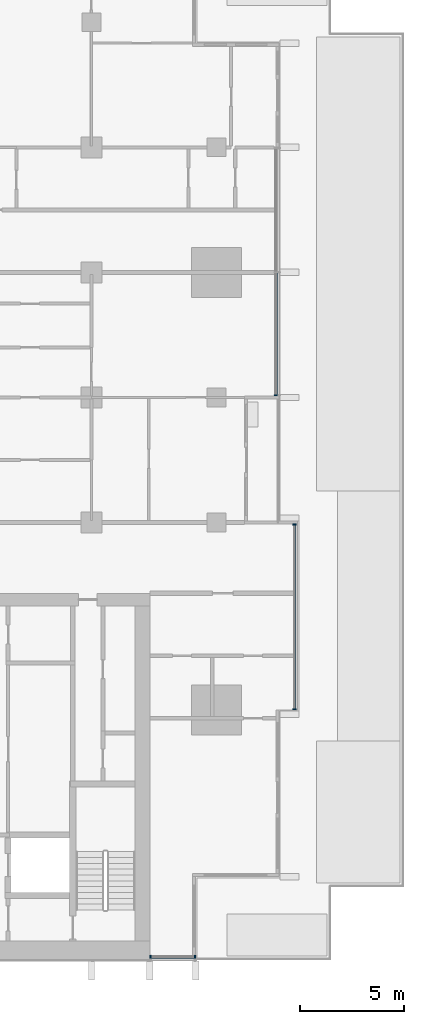
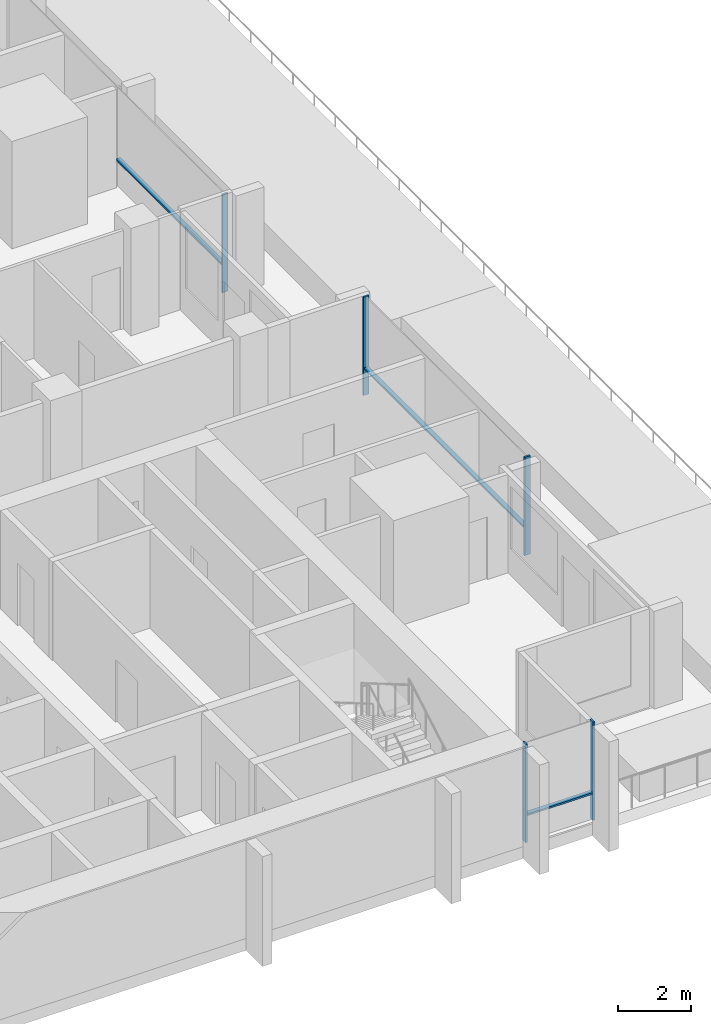
# One storey, part 3 of 18: 8 members, 3 elements without a shape of their own.
"""IFC4 building model written with IfcOpenShell, lengths in metres."""

from ifc_helpers import new_model, si_unit, direction, frame, origin, origin_2d, place, context, subcontext, project, spatial, rectangle, extrude, material, material_profile, profile_set, type_object, element, aggregate, save


model = new_model("IFC4")

# Units and contexts
model_context = context("Model", 3, precision=1e-05, world=origin(), true_north=direction((0.0, 1.0)))
body_context = subcontext(model_context, "Body", "Model", "MODEL_VIEW")
ifc_project = project(units=[si_unit("LENGTHUNIT", "METRE"), si_unit("AREAUNIT", "SQUARE_METRE"), si_unit("VOLUMEUNIT", "CUBIC_METRE"), si_unit("PLANEANGLEUNIT", "RADIAN"), si_unit("MASSUNIT", "GRAM", prefix="KILO")], contexts=[model_context])

# Site, building, storey
site_placement = place(None, origin())
site = spatial("IfcSite", under=ifc_project, at=site_placement, CompositionType="ELEMENT")
building_placement = place(site_placement, origin())
building = spatial("IfcBuilding", under=site, at=building_placement, Name="Finial Court Residences", CompositionType="ELEMENT")
storey_placement = place(building_placement, frame((0.0, 0.0, 149.300048828125)))
storey = spatial("IfcBuildingStorey", under=building, at=storey_placement, Name="L36", CompositionType="ELEMENT", Elevation=149.300048828125)

# Curtain wall, members
ifc_material = material(Name="Bronze anodised aluminium", Category="aluminium")
curtain_wall_type = type_object("IfcCurtainWallType", Name="Unitised curtain wall, upper zones", PredefinedType="NOTDEFINED", material=ifc_material)
curtain_wall_1_placement = place(storey_placement, origin())
curtain_wall_1 = element("IfcCurtainWall", 1, at=curtain_wall_1_placement, inside=storey, type_object=curtain_wall_type, Name="E-L36-CW-E4", PredefinedType="NOTDEFINED")
ifc_material_profile_1 = material_profile(ifc_material, rectangle(XDim=0.175048828125, YDim=0.06005859375, at=origin_2d()), Name="CW2 mullion 60 x 175")
ifc_profile_set_1 = profile_set([ifc_material_profile_1], Name="Bronze anodised aluminium")
member_type_1 = type_object("IfcMemberType", Name="CW2 mullion 60 x 175", PredefinedType="MULLION", material=ifc_profile_set_1)
member_1_placement = place(storey_placement, frame((20.25, -13.469970703125, 0.0), z_axis=(0.0, 0.0, 1.0), x_axis=(-1.0, 0.0, 0.0)))
member_1 = element("IfcMember", 2, at=member_1_placement, type_object=member_type_1, Name="CW2 mullion 1", PredefinedType="MULLION", context=body_context, shape_type="SweptSolid", body=[
    extrude(rectangle(XDim=0.175048828125, YDim=0.06005859375, at=origin_2d()), origin(), (0.0, 0.0, 1.0), 3.300048828125),
])
member_2_placement = place(storey_placement, frame((20.25, -4.60498046875, 0.0), z_axis=(0.0, 0.0, 1.0), x_axis=(-1.0, 0.0, 0.0)))
member_2 = element("IfcMember", 3, at=member_2_placement, type_object=member_type_1, Name="CW2 mullion 2", PredefinedType="MULLION", context=body_context, shape_type="SweptSolid", body=[
    extrude(rectangle(XDim=0.175048828125, YDim=0.06005859375, at=origin_2d()), origin(), (0.0, 0.0, 1.0), 3.300048828125),
])

# Curtain wall, member
curtain_wall_2_placement = place(storey_placement, origin())
curtain_wall_2 = element("IfcCurtainWall", 4, at=curtain_wall_2_placement, inside=storey, type_object=curtain_wall_type, Name="E-L36-CW-E5", PredefinedType="NOTDEFINED")
member_3_placement = place(storey_placement, frame((19.35009765625, 1.60498046875, 0.0), z_axis=(0.0, 0.0, 1.0), x_axis=(-1.0, 0.0, 0.0)))
member_3 = element("IfcMember", 5, at=member_3_placement, type_object=member_type_1, Name="CW2 mullion 1", PredefinedType="MULLION", context=body_context, shape_type="SweptSolid", body=[
    extrude(rectangle(XDim=0.175048828125, YDim=0.06005859375, at=origin_2d()), origin(), (0.0, 0.0, 1.0), 3.300048828125),
])

# Curtain wall, members
curtain_wall_3_placement = place(storey_placement, origin())
curtain_wall_3 = element("IfcCurtainWall", 6, at=curtain_wall_3_placement, inside=storey, type_object=curtain_wall_type, Name="E-L36-CW-S7", PredefinedType="NOTDEFINED")
member_4_placement = place(storey_placement, frame((13.330078125, -25.35009765625, 0.0), z_axis=(0.0, 0.0, 1.0), x_axis=(0.0, 1.0, 0.0)))
member_4 = element("IfcMember", 7, at=member_4_placement, type_object=member_type_1, Name="CW2 mullion 1", PredefinedType="MULLION", context=body_context, shape_type="SweptSolid", body=[
    extrude(rectangle(XDim=0.175048828125, YDim=0.06005859375, at=origin_2d()), origin(), (0.0, 0.0, 1.0), 3.300048828125),
])
member_5_placement = place(storey_placement, frame((15.469970703125, -25.35009765625, 0.0), z_axis=(0.0, 0.0, 1.0), x_axis=(0.0, 1.0, 0.0)))
member_5 = element("IfcMember", 8, at=member_5_placement, type_object=member_type_1, Name="CW2 mullion 2", PredefinedType="MULLION", context=body_context, shape_type="SweptSolid", body=[
    extrude(rectangle(XDim=0.175048828125, YDim=0.06005859375, at=origin_2d()), origin(), (0.0, 0.0, 1.0), 3.300048828125),
])

# Member
ifc_material_profile_2 = material_profile(ifc_material, rectangle(XDim=0.139892578125, YDim=0.06005859375, at=origin_2d()), Name="CW2 transom 60 x 140")
ifc_profile_set_2 = profile_set([ifc_material_profile_2], Name="Bronze anodised aluminium")
member_type_2 = type_object("IfcMemberType", Name="CW2 transom 60 x 140", PredefinedType="USERDEFINED", material=ifc_profile_set_2)
member_6_placement = place(storey_placement, frame((20.25, -13.43994140625, 0.89990234375), z_axis=(0.0, 1.0, 0.0), x_axis=(-1.0, 0.0, 0.0)))
member_6 = element("IfcMember", 9, at=member_6_placement, type_object=member_type_2, Name="CW2 transom 1.1", ObjectType="TRANSOM", PredefinedType="USERDEFINED", context=body_context, shape_type="SweptSolid", body=[
    extrude(rectangle(XDim=0.139892578125, YDim=0.06005859375, at=origin_2d()), origin(), (0.0, 0.0, 1.0), 8.804931640625),
])

aggregate(curtain_wall_1, [member_1, member_2, member_6])

member_7_placement = place(storey_placement, frame((19.35009765625, 1.635009765625, 0.89990234375), z_axis=(0.0, 1.0, 0.0), x_axis=(-1.0, 0.0, 0.0)))
member_7 = element("IfcMember", 10, at=member_7_placement, type_object=member_type_2, Name="CW2 transom 1.1", ObjectType="TRANSOM", PredefinedType="USERDEFINED", context=body_context, shape_type="SweptSolid", body=[
    extrude(rectangle(XDim=0.139892578125, YDim=0.06005859375, at=origin_2d()), origin(), (0.0, 0.0, 1.0), 5.8349609375),
])

aggregate(curtain_wall_2, [member_3, member_7])

member_8_placement = place(storey_placement, frame((13.360107421875, -25.35009765625, 0.89990234375), z_axis=(1.0, 0.0, 0.0), x_axis=(0.0, 1.0, 0.0)))
member_8 = element("IfcMember", 11, at=member_8_placement, type_object=member_type_2, Name="CW2 transom 1.1", ObjectType="TRANSOM", PredefinedType="USERDEFINED", context=body_context, shape_type="SweptSolid", body=[
    extrude(rectangle(XDim=0.139892578125, YDim=0.06005859375, at=origin_2d()), origin(), (0.0, 0.0, 1.0), 2.079833984375),
])

aggregate(curtain_wall_3, [member_4, member_5, member_8])

save(model, "model.ifc")
